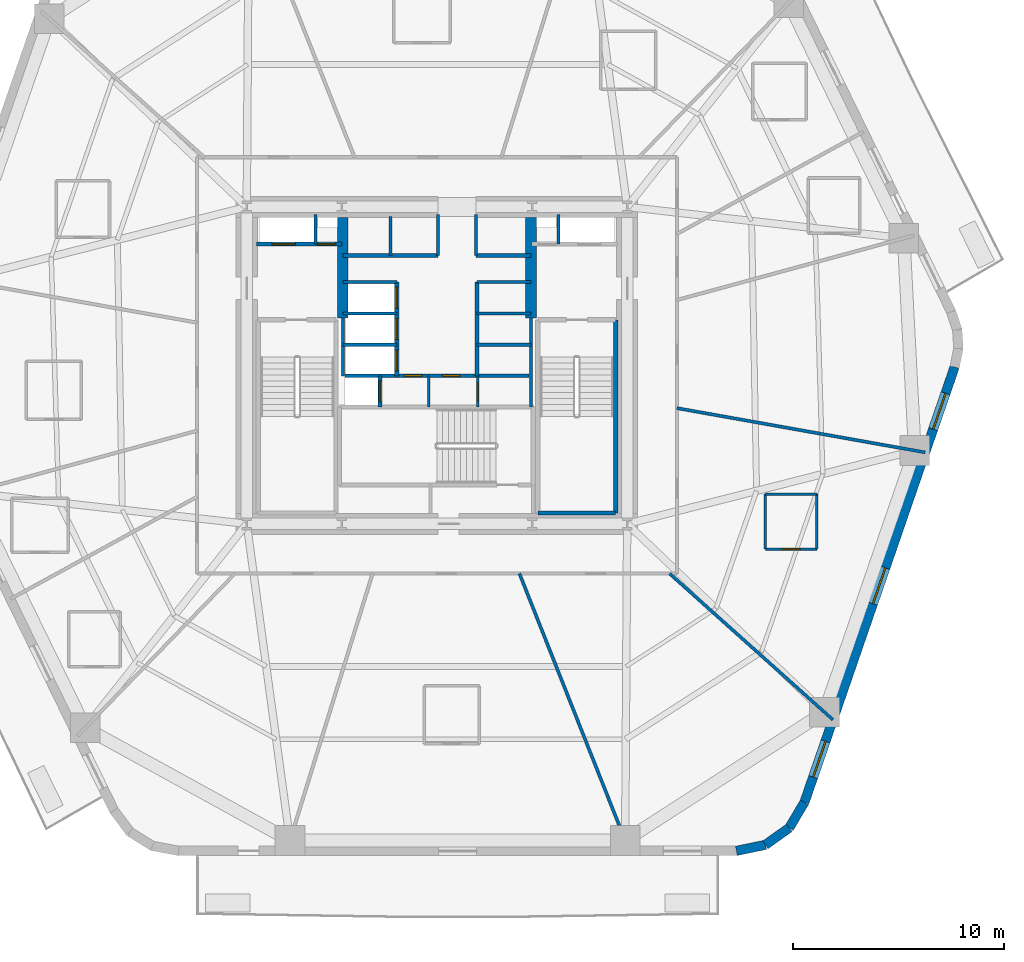
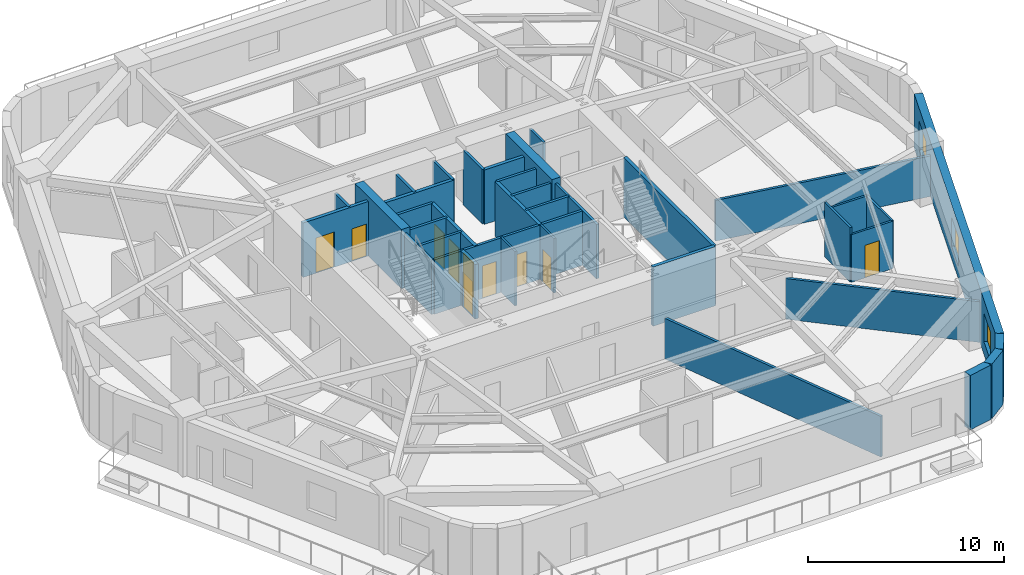
# One storey, part 4 of 9: 37 walls, 10 doors, 3 windows, 13 openings.
"""IFC4 building model written with IfcOpenShell, lengths in metres."""

from ifc_helpers import new_model, si_unit, direction, frame, frame_2d, origin, place, context, subcontext, project, spatial, rectangle, extrude, material, layer, layer_set, type_object, element, fill, save


model = new_model("IFC4")

# Units and contexts
model_context = context("Model", 3, precision=1e-05, world=origin(), true_north=direction((0.0, 1.0)))
body_context = subcontext(model_context, "Body", "Model", "MODEL_VIEW")
ifc_project = project(units=[si_unit("LENGTHUNIT", "METRE"), si_unit("AREAUNIT", "SQUARE_METRE"), si_unit("VOLUMEUNIT", "CUBIC_METRE"), si_unit("PLANEANGLEUNIT", "RADIAN"), si_unit("MASSUNIT", "GRAM", prefix="KILO")], contexts=[model_context])

# Site, building, storey
site_placement = place(None, origin())
site = spatial("IfcSite", under=ifc_project, at=site_placement, CompositionType="ELEMENT")
building_placement = place(site_placement, origin())
building = spatial("IfcBuilding", under=site, at=building_placement, Name="Kilnhurst Terrace Hotel", CompositionType="ELEMENT")
storey_placement = place(building_placement, frame((0.0, 0.0, 60.10009765625)))
storey = spatial("IfcBuildingStorey", under=building, at=storey_placement, Name="L13", CompositionType="ELEMENT", Elevation=60.10009765625)

# Walls
ifc_material_1 = material(Name="Precast concrete C40/50", Category="concrete")
ifc_layer_1 = layer(ifc_material_1, 0.449951171875, Name="Precast concrete C40/50")
ifc_layer_set_1 = layer_set([ifc_layer_1], Name="Precast concrete C40/50")
wall_type_1 = type_object("IfcWallType", Name="WL-BRK-450", PredefinedType="SOLIDWALL", material=ifc_layer_set_1)
wall_1_placement = place(storey_placement, frame((14.168212890625, -22.97509765625, 0.0), z_axis=(0.0, 0.0, 1.0), x_axis=(0.978770371074, 0.204959900243, 0.0)))
element("IfcWall", 1, at=wall_1_placement, inside=storey, type_object=wall_type_1, Name="L13 Rounded Corner Brick Wall C2.1", PredefinedType="SOLIDWALL", context=body_context, shape_type="SweptSolid", body=[
    extrude(rectangle(XDim=1.405517578125, YDim=0.449951171875, at=frame_2d((0.70263671875, 0.0))), origin(), (0.0, 0.0, 1.0), 3.39990234375),
])
wall_2_placement = place(storey_placement, frame((15.5439453125, -22.68701171875, 0.0), z_axis=(0.0, 0.0, 1.0), x_axis=(0.814210854316, 0.580569276412, 0.0)))
element("IfcWall", 2, at=wall_2_placement, inside=storey, type_object=wall_type_1, Name="L13 Rounded Corner Brick Wall C2.2", PredefinedType="SOLIDWALL", context=body_context, shape_type="SweptSolid", body=[
    extrude(rectangle(XDim=1.38134765625, YDim=0.449951171875, at=frame_2d((0.690673828125, 0.0))), origin(), (0.0, 0.0, 1.0), 3.39990234375),
])
wall_3_placement = place(storey_placement, frame((16.668701171875, -21.885009765625, 0.0), z_axis=(0.0, 0.0, 1.0), x_axis=(0.512936712947, 0.858426425799, 0.0)))
element("IfcWall", 3, at=wall_3_placement, inside=storey, type_object=wall_type_1, Name="L13 Rounded Corner Brick Wall C2.3", PredefinedType="SOLIDWALL", context=body_context, shape_type="SweptSolid", body=[
    extrude(rectangle(XDim=1.405517578125, YDim=0.449951171875, at=frame_2d((0.70263671875, 0.0))), origin(), (0.0, 0.0, 1.0), 3.39990234375),
])

# Wall, openings, windows
wall_4_placement = place(storey_placement, frame((17.3896484375, -20.678466796875, 0.0), z_axis=(0.0, 0.0, 1.0), x_axis=(0.326068018294, 0.945346310854, 0.0)))
wall_4 = element("IfcWall", 4, at=wall_4_placement, inside=storey, type_object=wall_type_1, Name="L13 Exterior Brick Facade Wall F2", PredefinedType="SOLIDWALL", context=body_context, shape_type="SweptSolid", body=[
    extrude(rectangle(XDim=21.79296875, YDim=0.449951171875, at=frame_2d((10.896484375, 0.0))), origin(), (0.0, 0.0, 1.0), 3.39990234375),
])
opening_1_placement = place(wall_4_placement, frame((1.260009765625, 0.0, 0.800048828125)))
opening_1 = element("IfcOpeningElement", 5, at=opening_1_placement, cuts=wall_4, Name="Opening W-01", PredefinedType="OPENING", context=body_context, shape_type="SweptSolid", body=[
    extrude(rectangle(XDim=1.800048828125, YDim=1.800048828125, at=frame_2d((0.89990234375, 0.89990234375))), frame((0.0, 0.23486328125, 0.0), z_axis=(0.0, -1.0, 0.0), x_axis=(1.0, 0.0, 0.0)), (0.0, 0.0, 1.0), 0.469970703125),
])
opening_2_placement = place(wall_4_placement, frame((9.943115234375, 0.0, 0.800048828125)))
opening_2 = element("IfcOpeningElement", 6, at=opening_2_placement, cuts=wall_4, Name="Opening W-01", PredefinedType="OPENING", context=body_context, shape_type="SweptSolid", body=[
    extrude(rectangle(XDim=1.800048828125, YDim=1.800048828125, at=frame_2d((0.89990234375, 0.89990234375))), frame((0.0, 0.23486328125, 0.0), z_axis=(0.0, -1.0, 0.0), x_axis=(1.0, 0.0, 0.0)), (0.0, 0.0, 1.0), 0.469970703125),
])
opening_3_placement = place(wall_4_placement, frame((18.679931640625, 0.0, 0.800048828125)))
opening_3 = element("IfcOpeningElement", 7, at=opening_3_placement, cuts=wall_4, Name="Opening W-01", PredefinedType="OPENING", context=body_context, shape_type="SweptSolid", body=[
    extrude(rectangle(XDim=1.800048828125, YDim=1.800048828125, at=frame_2d((0.89990234375, 0.89990234375))), frame((0.0, 0.23486328125, 0.0), z_axis=(0.0, -1.0, 0.0), x_axis=(1.0, 0.0, 0.0)), (0.0, 0.0, 1.0), 0.469970703125),
])
ifc_material_2 = material(Name="Thermally Broken Bronze Aluminium Alloy 6063-T6 and Low-E Glass", Category="aluminium")
window_type = type_object("IfcWindowType", Name="WIN-1800X1800", PartitioningType="SINGLE_PANEL", PredefinedType="WINDOW", material=ifc_material_2)
window_1_placement = place(opening_1_placement, origin())
window_1 = element("IfcWindow", 8, at=window_1_placement, inside=storey, type_object=window_type, Name="L13 Deep-Set Masonry Window F2.1", OverallHeight=1.800048828125, OverallWidth=1.800048828125, PartitioningType="SINGLE_PANEL", PredefinedType="WINDOW", context=body_context, shape_type="SweptSolid", body=[
    extrude(rectangle(XDim=1.800048828125, YDim=1.800048828125, at=frame_2d((0.89990234375, 0.89990234375))), frame((0.0, 0.030029296875, 0.0), z_axis=(0.0, -1.0, 0.0), x_axis=(1.0, 0.0, 0.0)), (0.0, 0.0, 1.0), 0.06005859375),
])
fill(opening_1, window_1)
window_2_placement = place(opening_2_placement, origin())
window_2 = element("IfcWindow", 9, at=window_2_placement, inside=storey, type_object=window_type, Name="L13 Deep-Set Masonry Window F2.2", OverallHeight=1.800048828125, OverallWidth=1.800048828125, PartitioningType="SINGLE_PANEL", PredefinedType="WINDOW", context=body_context, shape_type="SweptSolid", body=[
    extrude(rectangle(XDim=1.800048828125, YDim=1.800048828125, at=frame_2d((0.89990234375, 0.89990234375))), frame((0.0, 0.030029296875, 0.0), z_axis=(0.0, -1.0, 0.0), x_axis=(1.0, 0.0, 0.0)), (0.0, 0.0, 1.0), 0.06005859375),
])
fill(opening_2, window_2)
window_3_placement = place(opening_3_placement, origin())
window_3 = element("IfcWindow", 10, at=window_3_placement, inside=storey, type_object=window_type, Name="L13 Deep-Set Masonry Window F2.3", OverallHeight=1.800048828125, OverallWidth=1.800048828125, PartitioningType="SINGLE_PANEL", PredefinedType="WINDOW", context=body_context, shape_type="SweptSolid", body=[
    extrude(rectangle(XDim=1.800048828125, YDim=1.800048828125, at=frame_2d((0.89990234375, 0.89990234375))), frame((0.0, 0.030029296875, 0.0), z_axis=(0.0, -1.0, 0.0), x_axis=(1.0, 0.0, 0.0)), (0.0, 0.0, 1.0), 0.06005859375),
])
fill(opening_3, window_3)

# Walls
ifc_material_3 = material(Name="Concrete C60/75", Category="concrete")
ifc_layer_2 = layer(ifc_material_3, 0.5, Name="Concrete C60/75")
ifc_layer_set_2 = layer_set([ifc_layer_2], Name="Concrete C60/75")
wall_type_2 = type_object("IfcWallType", Name="WL-CORE-WEB-500", PredefinedType="SHEAR", material=ifc_layer_set_2)
for number, where, z_axis, x_axis, name in (
    (11, (-4.449951171875, 2.25, 0.0), (0.0, 0.0, 1.0), (0.0, 1.0, 0.0), "L13 Core Internal West Shear Web"),
    (12, (4.449951171875, 2.25, 0.0), (0.0, 0.0, 1.0), (0.0, 1.0, 0.0), "L13 Core Internal East Shear Web"),
):
    element("IfcWall", number, at=place(storey_placement, frame(where, z_axis=z_axis, x_axis=x_axis)), inside=storey, type_object=wall_type_2, Name=name, PredefinedType="SHEAR", context=body_context, shape_type="SweptSolid", body=[
        extrude(rectangle(XDim=4.75, YDim=0.5, at=frame_2d((2.375, 0.0))), origin(), (0.0, 0.0, 1.0), 3.699951171875),
    ])
ifc_material_4 = material(Name="STC-58 Acoustic Twin-Frame Guestroom Demising Partition")
ifc_layer_3 = layer(ifc_material_4, 0.14990234375, Name="STC-58 Acoustic Twin-Frame Guestroom Demising Partition")
ifc_layer_set_3 = layer_set([ifc_layer_3], Name="STC-58 Acoustic Twin-Frame Guestroom Demising Partition")
wall_type_3 = type_object("IfcWallType", Name="WL-DEM-150", PredefinedType="PARTITIONING", material=ifc_layer_set_3)
wall_5_placement = place(storey_placement, frame((3.90185546875, -9.85009765625, 0.0), z_axis=(0.0, 0.0, 1.0), x_axis=(0.36828765711, -0.929711891728, 0.0)))
element("IfcWall", 13, at=wall_5_placement, inside=storey, type_object=wall_type_3, Name="L13 Interior Wall WL-L13-DEM-COL10-12-1", PredefinedType="PARTITIONING", context=body_context, shape_type="SweptSolid", body=[
    extrude(rectangle(XDim=14.1171875, YDim=0.14990234375, at=frame_2d((7.05859375, 0.0))), origin(), (0.0, 0.0, 1.0), 2.539794921875),
])
wall_6_placement = place(storey_placement, frame((11.006591796875, -9.85009765625, 0.0), z_axis=(0.0, 0.0, 1.0), x_axis=(0.745177305978, -0.666866390407, 0.0)))
element("IfcWall", 14, at=wall_6_placement, inside=storey, type_object=wall_type_3, Name="L13 Interior Wall WL-L13-DEM-COL11-13-1", PredefinedType="PARTITIONING", context=body_context, shape_type="SweptSolid", body=[
    extrude(rectangle(XDim=10.375244140625, YDim=0.14990234375, at=frame_2d((5.1875, 0.0))), origin(), (0.0, 0.0, 1.0), 2.539794921875),
])
wall_7_placement = place(storey_placement, frame((11.35009765625, -2.022705078125, 0.0), z_axis=(0.0, 0.0, 1.0), x_axis=(0.984493741877, -0.17541970301, 0.0)))
element("IfcWall", 15, at=wall_7_placement, inside=storey, type_object=wall_type_3, Name="L13 Interior Wall WL-L13-DEM-COL12-14-1", PredefinedType="PARTITIONING", context=body_context, shape_type="SweptSolid", body=[
    extrude(rectangle(XDim=11.93701171875, YDim=0.14990234375, at=frame_2d((5.968505859375, 0.0))), origin(), (0.0, 0.0, 1.0), 2.539794921875),
])
ifc_material_5 = material(Name="120 mm Moisture-Resistant Tile-Backed Bathroom Partition")
ifc_layer_4 = layer(ifc_material_5, 0.1201171875, Name="120 mm Moisture-Resistant Tile-Backed Bathroom Partition")
ifc_layer_set_4 = layer_set([ifc_layer_4], Name="120 mm Moisture-Resistant Tile-Backed Bathroom Partition")
wall_type_4 = type_object("IfcWallType", Name="WL-PART-120", PredefinedType="PARTITIONING", material=ifc_layer_set_4)
wall_8_placement = place(storey_placement, frame((-0.3798828125, -1.971923828125, 0.0), z_axis=(0.0, 0.0, 1.0), x_axis=(0.0, 1.0, 0.0)))
element("IfcWall", 16, at=wall_8_placement, inside=storey, type_object=wall_type_4, Name="L13 Interior Wall WL-L13-BOH-C1", PredefinedType="PARTITIONING", context=body_context, shape_type="SweptSolid", body=[
    extrude(rectangle(XDim=1.471923828125, YDim=0.1201171875, at=frame_2d((0.73583984375, 0.0))), origin(), (0.0, 0.0, 1.0), 3.39990234375),
])

# Wall, opening, door
wall_9_placement = place(storey_placement, frame((1.919921875, -1.971923828125, 0.0), z_axis=(0.0, 0.0, 1.0), x_axis=(0.0, 1.0, 0.0)))
wall_9 = element("IfcWall", 17, at=wall_9_placement, inside=storey, type_object=wall_type_4, Name="L13 Interior Wall WL-L13-BOH-C2", PredefinedType="PARTITIONING", context=body_context, shape_type="SweptSolid", body=[
    extrude(rectangle(XDim=1.471923828125, YDim=0.1201171875, at=frame_2d((0.73583984375, 0.0))), origin(), (0.0, 0.0, 1.0), 3.39990234375),
])
opening_4_placement = place(wall_9_placement, frame((0.300048828125, 0.0, 0.0)))
opening_4 = element("IfcOpeningElement", 18, at=opening_4_placement, cuts=wall_9, Name="Opening D-08A", PredefinedType="OPENING", context=body_context, shape_type="SweptSolid", body=[
    extrude(rectangle(XDim=0.85009765625, YDim=2.030029296875, at=frame_2d((0.425048828125, 1.01513671875))), frame((0.0, 0.070068359375, 0.0), z_axis=(0.0, -1.0, 0.0), x_axis=(1.0, 0.0, 0.0)), (0.0, 0.0, 1.0), 0.14013671875),
])
ifc_material_6 = material(Name="Moisture-Resistant Lacquered En-suite Bathroom Door")
door_type_1 = type_object("IfcDoorType", Name="DR-INT-850", OperationType="NOTDEFINED", PredefinedType="DOOR", material=ifc_material_6)
door_1_placement = place(opening_4_placement, origin())
door_1 = element("IfcDoor", 19, at=door_1_placement, inside=storey, type_object=door_type_1, Name="L13 Staff Restroom Door", OperationType="SINGLE_SWING_RIGHT", OverallHeight=2.030029296875, OverallWidth=0.85009765625, PredefinedType="DOOR", context=body_context, shape_type="SweptSolid", body=[
    extrude(rectangle(XDim=0.85009765625, YDim=2.030029296875, at=frame_2d((0.425048828125, 1.01513671875))), frame((0.0, 0.02490234375, 0.0), z_axis=(0.0, -1.0, 0.0), x_axis=(1.0, 0.0, 0.0)), (0.0, 0.0, 1.0), 0.050048828125),
])
fill(opening_4, door_1)

wall_10_placement = place(storey_placement, frame((15.535888671875, -8.697998046875, 0.0), z_axis=(0.0, 0.0, 1.0), x_axis=(1.0, 0.0, 0.0)))
wall_10 = element("IfcWall", 20, at=wall_10_placement, inside=storey, type_object=wall_type_4, Name="L13 Interior Wall WL-L13-BTH-13-1", PredefinedType="PARTITIONING", context=body_context, shape_type="SweptSolid", body=[
    extrude(rectangle(XDim=2.440185546875, YDim=0.1201171875, at=frame_2d((1.22021484375, 0.0))), origin(), (0.0, 0.0, 1.0), 2.972412109375),
])
opening_5_placement = place(wall_10_placement, frame((0.794921875, 0.0, 0.0)))
opening_5 = element("IfcOpeningElement", 21, at=opening_5_placement, cuts=wall_10, Name="Opening D-08A", PredefinedType="OPENING", context=body_context, shape_type="SweptSolid", body=[
    extrude(rectangle(XDim=0.85009765625, YDim=2.030029296875, at=frame_2d((0.425048828125, 1.01513671875))), frame((0.0, 0.070068359375, 0.0), z_axis=(0.0, -1.0, 0.0), x_axis=(1.0, 0.0, 0.0)), (0.0, 0.0, 1.0), 0.14013671875),
])
door_2_placement = place(opening_5_placement, origin())
door_2 = element("IfcDoor", 22, at=door_2_placement, inside=storey, type_object=door_type_1, Name="L13 En-suite Bathroom Door 13", OperationType="SINGLE_SWING_RIGHT", OverallHeight=2.030029296875, OverallWidth=0.85009765625, PredefinedType="DOOR", context=body_context, shape_type="SweptSolid", body=[
    extrude(rectangle(XDim=0.85009765625, YDim=2.030029296875, at=frame_2d((0.425048828125, 1.01513671875))), frame((0.0, 0.02490234375, 0.0), z_axis=(0.0, -1.0, 0.0), x_axis=(1.0, 0.0, 0.0)), (0.0, 0.0, 1.0), 0.050048828125),
])
fill(opening_5, door_2)

# Walls
wall_11_placement = place(storey_placement, frame((17.97607421875, -8.697998046875, 0.0), z_axis=(0.0, 0.0, 1.0), x_axis=(0.0, 1.0, 0.0)))
element("IfcWall", 23, at=wall_11_placement, inside=storey, type_object=wall_type_4, Name="L13 Interior Wall WL-L13-BTH-13-2", PredefinedType="PARTITIONING", context=body_context, shape_type="SweptSolid", body=[
    extrude(rectangle(XDim=2.610107421875, YDim=0.1201171875, at=frame_2d((1.30517578125, 0.0))), origin(), (0.0, 0.0, 1.0), 2.972412109375),
])
wall_12_placement = place(storey_placement, frame((17.97607421875, -6.087890625, 0.0), z_axis=(0.0, 0.0, 1.0), x_axis=(-1.0, 0.0, 0.0)))
element("IfcWall", 24, at=wall_12_placement, inside=storey, type_object=wall_type_4, Name="L13 Interior Wall WL-L13-BTH-13-3", PredefinedType="PARTITIONING", context=body_context, shape_type="SweptSolid", body=[
    extrude(rectangle(XDim=2.440185546875, YDim=0.1201171875, at=frame_2d((1.22021484375, 0.0))), origin(), (0.0, 0.0, 1.0), 2.972412109375),
])
wall_13_placement = place(storey_placement, frame((15.535888671875, -6.087890625, 0.0), z_axis=(0.0, 0.0, 1.0), x_axis=(0.0, -1.0, 0.0)))
element("IfcWall", 25, at=wall_13_placement, inside=storey, type_object=wall_type_4, Name="L13 Interior Wall WL-L13-BTH-13-4", PredefinedType="PARTITIONING", context=body_context, shape_type="SweptSolid", body=[
    extrude(rectangle(XDim=2.610107421875, YDim=0.1201171875, at=frame_2d((1.30517578125, 0.0))), origin(), (0.0, 0.0, 1.0), 3.39990234375),
])
ifc_material_7 = material(Name="Fire-Rated Gypsum Shaftliner Assembly")
ifc_layer_5 = layer(ifc_material_7, 0.14990234375, Name="Fire-Rated Gypsum Shaftliner Assembly")
ifc_layer_set_5 = layer_set([ifc_layer_5], Name="Fire-Rated Gypsum Shaftliner Assembly")
wall_type_5 = type_object("IfcWallType", Name="WL-SHAFT-150", PredefinedType="PARTITIONING", material=ifc_layer_set_5)
for number, where, z_axis, x_axis, name in (
    (26, (-5.75, 5.739990234375, 0.0), (0.0, 0.0, 1.0), (0.0, 1.0, 0.0), "L13 Interior Wall WL-L13-RIS1-DIV"),
    (27, (5.75, 5.739990234375, 0.0), (0.0, 0.0, 1.0), (0.0, 1.0, 0.0), "L13 Interior Wall WL-L13-RIS2-DIV"),
):
    element("IfcWall", number, at=place(storey_placement, frame(where, z_axis=z_axis, x_axis=x_axis)), inside=storey, type_object=wall_type_5, Name=name, PredefinedType="PARTITIONING", context=body_context, shape_type="SweptSolid", body=[
        extrude(rectangle(XDim=1.409912109375, YDim=0.14990234375, at=frame_2d((0.705078125, 0.0))), origin(), (0.0, 0.0, 1.0), 3.39990234375),
    ])
wall_14_placement = place(storey_placement, frame((-2.199951171875, 5.199951171875, 0.0), z_axis=(0.0, 0.0, 1.0), x_axis=(0.0, 1.0, 0.0)))
element("IfcWall", 28, at=wall_14_placement, inside=storey, type_object=wall_type_5, Name="L13 Interior Wall WL-L13-HR-DIV1", PredefinedType="PARTITIONING", context=body_context, shape_type="SweptSolid", body=[
    extrude(rectangle(XDim=1.85009765625, YDim=0.14990234375, at=frame_2d((0.925048828125, 0.0))), origin(), (0.0, 0.0, 1.0), 3.39990234375),
])
for number, where, z_axis, x_axis, name in (
    (29, (0.050048828125, 5.199951171875, 0.0), (0.0, 0.0, 1.0), (0.0, 1.0, 0.0), "L13 Interior Wall WL-L13-HR-PORTAL-W"),
    (30, (1.85009765625, 5.199951171875, 0.0), (0.0, 0.0, 1.0), (0.0, 1.0, 0.0), "L13 Interior Wall WL-L13-HR-PORTAL-E"),
):
    element("IfcWall", number, at=place(storey_placement, frame(where, z_axis=z_axis, x_axis=x_axis)), inside=storey, type_object=wall_type_5, Name=name, PredefinedType="PARTITIONING", context=body_context, shape_type="SweptSolid", body=[
        extrude(rectangle(XDim=1.949951171875, YDim=0.14990234375, at=frame_2d((0.97509765625, 0.0))), origin(), (0.0, 0.0, 1.0), 3.39990234375),
    ])
wall_15_placement = place(storey_placement, frame((-4.449951171875, -0.5, 0.0), z_axis=(0.0, 0.0, 1.0), x_axis=(0.0, 1.0, 0.0)))
element("IfcWall", 31, at=wall_15_placement, inside=storey, type_object=wall_type_5, Name="L13 Interior Wall WL-L13-XLOB-W", PredefinedType="PARTITIONING", context=body_context, shape_type="SweptSolid", body=[
    extrude(rectangle(XDim=2.75, YDim=0.14990234375, at=frame_2d((1.375, 0.0))), origin(), (0.0, 0.0, 1.0), 3.39990234375),
])
wall_16_placement = place(storey_placement, frame((4.449951171875, -1.971923828125, 0.0), z_axis=(0.0, 0.0, 1.0), x_axis=(0.0, 1.0, 0.0)))
element("IfcWall", 32, at=wall_16_placement, inside=storey, type_object=wall_type_5, Name="L13 Interior Wall WL-L13-XLOB-E", PredefinedType="PARTITIONING", context=body_context, shape_type="SweptSolid", body=[
    extrude(rectangle(XDim=4.221923828125, YDim=0.14990234375, at=frame_2d((2.11083984375, 0.0))), origin(), (0.0, 0.0, 1.0), 3.39990234375),
])
for number, where, z_axis, x_axis, name in (
    (33, (-4.449951171875, 3.93994140625, 0.0), (0.0, 0.0, 1.0), (1.0, 0.0, 0.0), "L13 Interior Wall WL-L13-LR-NORTH"),
    (34, (-4.449951171875, 0.97998046875, 0.0), (0.0, 0.0, 1.0), (1.0, 0.0, 0.0), "L13 Interior Wall WL-L13-LR-D1"),
    (35, (-4.449951171875, 2.4599609375, 0.0), (0.0, 0.0, 1.0), (1.0, 0.0, 0.0), "L13 Interior Wall WL-L13-LR-D2"),
    (36, (1.89990234375, 3.93994140625, 0.0), (0.0, 0.0, 1.0), (1.0, 0.0, 0.0), "L13 Interior Wall WL-L13-MR-NORTH"),
    (37, (1.89990234375, 0.97998046875, 0.0), (0.0, 0.0, 1.0), (1.0, 0.0, 0.0), "L13 Interior Wall WL-L13-MR-D1"),
    (38, (1.89990234375, 2.4599609375, 0.0), (0.0, 0.0, 1.0), (1.0, 0.0, 0.0), "L13 Interior Wall WL-L13-MR-D2"),
):
    element("IfcWall", number, at=place(storey_placement, frame(where, z_axis=z_axis, x_axis=x_axis)), inside=storey, type_object=wall_type_5, Name=name, PredefinedType="PARTITIONING", context=body_context, shape_type="SweptSolid", body=[
        extrude(rectangle(XDim=2.550048828125, YDim=0.14990234375, at=frame_2d((1.27490234375, 0.0))), origin(), (0.0, 0.0, 1.0), 3.39990234375),
    ])

# Wall, openings, doors
wall_17_placement = place(storey_placement, frame((-4.360107421875, -0.489990234375, 0.0), z_axis=(0.0, 0.0, 1.0), x_axis=(1.0, 0.0, 0.0)))
wall_17 = element("IfcWall", 39, at=wall_17_placement, inside=storey, type_object=wall_type_5, Name="L13 Interior Wall WL-L13-BOH-N", PredefinedType="PARTITIONING", context=body_context, shape_type="SweptSolid", body=[
    extrude(rectangle(XDim=8.72021484375, YDim=0.14990234375, at=frame_2d((4.360107421875, 0.0))), origin(), (0.0, 0.0, 1.0), 3.39990234375),
])
opening_6_placement = place(wall_17_placement, frame((2.81005859375, 0.0, 0.0)))
opening_6 = element("IfcOpeningElement", 40, at=opening_6_placement, cuts=wall_17, Name="Opening D-60D", PredefinedType="OPENING", context=body_context, shape_type="SweptSolid", body=[
    extrude(rectangle(XDim=0.85009765625, YDim=2.030029296875, at=frame_2d((0.425048828125, 1.01513671875))), frame((0.0, 0.0849609375, 0.0), z_axis=(0.0, -1.0, 0.0), x_axis=(1.0, 0.0, 0.0)), (0.0, 0.0, 1.0), 0.169921875),
])
opening_7_placement = place(wall_17_placement, frame((4.610107421875, 0.0, 0.0)))
opening_7 = element("IfcOpeningElement", 41, at=opening_7_placement, cuts=wall_17, Name="Opening D-60D", PredefinedType="OPENING", context=body_context, shape_type="SweptSolid", body=[
    extrude(rectangle(XDim=0.85009765625, YDim=2.030029296875, at=frame_2d((0.425048828125, 1.01513671875))), frame((0.0, 0.0849609375, 0.0), z_axis=(0.0, -1.0, 0.0), x_axis=(1.0, 0.0, 0.0)), (0.0, 0.0, 1.0), 0.169921875),
])
ifc_material_8 = material(Name="Painted Hollow Metal Steel ASTM A36 Riser Door", Category="steel")
door_type_2 = type_object("IfcDoorType", Name="DR-FD60-850", OperationType="NOTDEFINED", PredefinedType="DOOR", material=ifc_material_8)
door_3_placement = place(opening_6_placement, origin())
door_3 = element("IfcDoor", 42, at=door_3_placement, inside=storey, type_object=door_type_2, Name="L13 Housekeeping Station Door", OperationType="SINGLE_SWING_LEFT", OverallHeight=2.030029296875, OverallWidth=0.85009765625, PredefinedType="DOOR", context=body_context, shape_type="SweptSolid", body=[
    extrude(rectangle(XDim=0.85009765625, YDim=2.030029296875, at=frame_2d((0.425048828125, 1.01513671875))), frame((0.0, 0.02490234375, 0.0), z_axis=(0.0, -1.0, 0.0), x_axis=(1.0, 0.0, 0.0)), (0.0, 0.0, 1.0), 0.050048828125),
])
fill(opening_6, door_3)
door_4_placement = place(opening_7_placement, origin())
door_4 = element("IfcDoor", 43, at=door_4_placement, inside=storey, type_object=door_type_2, Name="L13 Beverage Pantry Door", OperationType="SINGLE_SWING_RIGHT", OverallHeight=2.030029296875, OverallWidth=0.85009765625, PredefinedType="DOOR", context=body_context, shape_type="SweptSolid", body=[
    extrude(rectangle(XDim=0.85009765625, YDim=2.030029296875, at=frame_2d((0.425048828125, 1.01513671875))), frame((0.0, 0.02490234375, 0.0), z_axis=(0.0, -1.0, 0.0), x_axis=(1.0, 0.0, 0.0)), (0.0, 0.0, 1.0), 0.050048828125),
])
fill(opening_7, door_4)

ifc_material_9 = material(Name="Autoclaved Aerated Concrete C30/37 and Gypsum Shaft Assembly", Category="concrete")
ifc_layer_6 = layer(ifc_material_9, 0.199951171875, Name="Autoclaved Aerated Concrete C30/37 and Gypsum Shaft Assembly")
ifc_layer_set_6 = layer_set([ifc_layer_6], Name="Autoclaved Aerated Concrete C30/37 and Gypsum Shaft Assembly")
wall_type_6 = type_object("IfcWallType", Name="WL-SHAFT-200", PredefinedType="PARTITIONING", material=ifc_layer_set_6)
wall_18_placement = place(storey_placement, frame((-8.550048828125, 5.739990234375, 0.0), z_axis=(0.0, 0.0, 1.0), x_axis=(1.0, 0.0, 0.0)))
wall_18 = element("IfcWall", 44, at=wall_18_placement, inside=storey, type_object=wall_type_6, Name="L13 Interior Wall WL-L13-FSAE1-S", PredefinedType="PARTITIONING", context=body_context, shape_type="SweptSolid", body=[
    extrude(rectangle(XDim=4.050048828125, YDim=0.199951171875, at=frame_2d((2.02490234375, 0.0))), origin(), (0.0, 0.0, 1.0), 3.39990234375),
])
opening_8_placement = place(wall_18_placement, frame((0.75, 0.0, 0.0)))
opening_8 = element("IfcOpeningElement", 45, at=opening_8_placement, cuts=wall_18, Name="Opening LD-F1", PredefinedType="OPENING", context=body_context, shape_type="SweptSolid", body=[
    extrude(rectangle(XDim=1.10009765625, YDim=2.199951171875, at=frame_2d((0.550048828125, 1.10009765625))), frame((0.0, 0.10986328125, 0.0), z_axis=(0.0, -1.0, 0.0), x_axis=(1.0, 0.0, 0.0)), (0.0, 0.0, 1.0), 0.219970703125),
])
opening_9_placement = place(wall_18_placement, frame((2.89990234375, 0.0, 0.0)))
opening_9 = element("IfcOpeningElement", 46, at=opening_9_placement, cuts=wall_18, Name="Opening D-60D", PredefinedType="OPENING", context=body_context, shape_type="SweptSolid", body=[
    extrude(rectangle(XDim=0.85009765625, YDim=2.030029296875, at=frame_2d((0.425048828125, 1.01513671875))), frame((0.0, 0.10986328125, 0.0), z_axis=(0.0, -1.0, 0.0), x_axis=(1.0, 0.0, 0.0)), (0.0, 0.0, 1.0), 0.219970703125),
])
door_5_placement = place(opening_9_placement, origin())
door_5 = element("IfcDoor", 47, at=door_5_placement, inside=storey, type_object=door_type_2, Name="L13 Electrical Riser Door", OperationType="SINGLE_SWING_LEFT", OverallHeight=2.030029296875, OverallWidth=0.85009765625, PredefinedType="DOOR", context=body_context, shape_type="SweptSolid", body=[
    extrude(rectangle(XDim=0.85009765625, YDim=2.030029296875, at=frame_2d((0.425048828125, 1.01513671875))), frame((0.0, 0.02490234375, 0.0), z_axis=(0.0, -1.0, 0.0), x_axis=(1.0, 0.0, 0.0)), (0.0, 0.0, 1.0), 0.050048828125),
])
fill(opening_9, door_5)
ifc_material_10 = material(Name="Bronze-Anodized Stainless Steel AISI 316L Sliding Door", Category="steel")
door_type_3 = type_object("IfcDoorType", Name="DR-LIFT-1100", OperationType="NOTDEFINED", PredefinedType="DOOR", material=ifc_material_10)
door_6_placement = place(opening_8_placement, origin())
door_6 = element("IfcDoor", 48, at=door_6_placement, inside=storey, type_object=door_type_3, Name="L13 FSAE-1 Landing Door", OperationType="SLIDING_TO_LEFT", OverallHeight=2.199951171875, OverallWidth=1.10009765625, PredefinedType="DOOR", context=body_context, shape_type="SweptSolid", body=[
    extrude(rectangle(XDim=1.10009765625, YDim=2.199951171875, at=frame_2d((0.550048828125, 1.10009765625))), frame((0.0, 0.02490234375, 0.0), z_axis=(0.0, -1.0, 0.0), x_axis=(1.0, 0.0, 0.0)), (0.0, 0.0, 1.0), 0.050048828125),
])
fill(opening_8, door_6)

# Wall, opening, door
wall_19_placement = place(storey_placement, frame((-2.699951171875, -1.971923828125, 0.0), z_axis=(0.0, 0.0, 1.0), x_axis=(0.0, 1.0, 0.0)))
wall_19 = element("IfcWall", 49, at=wall_19_placement, inside=storey, type_object=wall_type_6, Name="L13 Interior Wall WL-L13-SRV1-E", PredefinedType="PARTITIONING", context=body_context, shape_type="SweptSolid", body=[
    extrude(rectangle(XDim=1.471923828125, YDim=0.199951171875, at=frame_2d((0.73583984375, 0.0))), origin(), (0.0, 0.0, 1.0), 3.39990234375),
])
opening_10_placement = place(wall_19_placement, frame((0.239990234375, 0.0, 0.0)))
opening_10 = element("IfcOpeningElement", 50, at=opening_10_placement, cuts=wall_19, Name="Opening LD-SV", PredefinedType="OPENING", context=body_context, shape_type="SweptSolid", body=[
    extrude(rectangle(XDim=1.0, YDim=2.199951171875, at=frame_2d((0.5, 1.10009765625))), frame((0.0, 0.10986328125, 0.0), z_axis=(0.0, -1.0, 0.0), x_axis=(1.0, 0.0, 0.0)), (0.0, 0.0, 1.0), 0.219970703125),
])
door_type_4 = type_object("IfcDoorType", Name="DR-LIFT-1000", OperationType="NOTDEFINED", PredefinedType="DOOR", material=ifc_material_10)
door_7_placement = place(opening_10_placement, origin())
door_7 = element("IfcDoor", 51, at=door_7_placement, inside=storey, type_object=door_type_4, Name="L13 Service Lift SRV-1 Landing Door", OperationType="SLIDING_TO_LEFT", OverallHeight=2.199951171875, OverallWidth=1.0, PredefinedType="DOOR", context=body_context, shape_type="SweptSolid", body=[
    extrude(rectangle(XDim=1.0, YDim=2.199951171875, at=frame_2d((0.5, 1.10009765625))), frame((0.0, 0.02490234375, 0.0), z_axis=(0.0, -1.0, 0.0), x_axis=(1.0, 0.0, 0.0)), (0.0, 0.0, 1.0), 0.050048828125),
])
fill(opening_10, door_7)

# Walls
wall_20_placement = place(storey_placement, frame((-4.449951171875, 5.199951171875, 0.0), z_axis=(0.0, 0.0, 1.0), x_axis=(1.0, 0.0, 0.0)))
element("IfcWall", 52, at=wall_20_placement, inside=storey, type_object=wall_type_6, Name="L13 Interior Wall WL-L13-HR-SW", PredefinedType="PARTITIONING", context=body_context, shape_type="SweptSolid", body=[
    extrude(rectangle(XDim=4.5, YDim=0.199951171875, at=frame_2d((2.25, 0.0))), origin(), (0.0, 0.0, 1.0), 3.39990234375),
])
wall_21_placement = place(storey_placement, frame((1.85009765625, 5.199951171875, 0.0), z_axis=(0.0, 0.0, 1.0), x_axis=(1.0, 0.0, 0.0)))
element("IfcWall", 53, at=wall_21_placement, inside=storey, type_object=wall_type_6, Name="L13 Interior Wall WL-L13-HR-SE", PredefinedType="PARTITIONING", context=body_context, shape_type="SweptSolid", body=[
    extrude(rectangle(XDim=2.599853515625, YDim=0.199951171875, at=frame_2d((1.2998046875, 0.0))), origin(), (0.0, 0.0, 1.0), 3.39990234375),
])

# Wall, openings, doors
wall_22_placement = place(storey_placement, frame((-1.89990234375, -0.5, 0.0), z_axis=(0.0, 0.0, 1.0), x_axis=(0.0, 1.0, 0.0)))
wall_22 = element("IfcWall", 54, at=wall_22_placement, inside=storey, type_object=wall_type_6, Name="L13 Interior Wall WL-L13-LR-FRONT", PredefinedType="PARTITIONING", context=body_context, shape_type="SweptSolid", body=[
    extrude(rectangle(XDim=4.43994140625, YDim=0.199951171875, at=frame_2d((2.219970703125, 0.0))), origin(), (0.0, 0.0, 1.0), 3.39990234375),
])
opening_11_placement = place(wall_22_placement, frame((0.239990234375, 0.0, 0.0)))
opening_11 = element("IfcOpeningElement", 55, at=opening_11_placement, cuts=wall_22, Name="Opening LD-LR", PredefinedType="OPENING", context=body_context, shape_type="SweptSolid", body=[
    extrude(rectangle(XDim=1.0, YDim=2.199951171875, at=frame_2d((0.5, 1.10009765625))), frame((0.0, 0.10986328125, 0.0), z_axis=(0.0, -1.0, 0.0), x_axis=(1.0, 0.0, 0.0)), (0.0, 0.0, 1.0), 0.219970703125),
])
opening_12_placement = place(wall_22_placement, frame((1.719970703125, 0.0, 0.0)))
opening_12 = element("IfcOpeningElement", 56, at=opening_12_placement, cuts=wall_22, Name="Opening LD-LR", PredefinedType="OPENING", context=body_context, shape_type="SweptSolid", body=[
    extrude(rectangle(XDim=1.0, YDim=2.199951171875, at=frame_2d((0.5, 1.10009765625))), frame((0.0, 0.10986328125, 0.0), z_axis=(0.0, -1.0, 0.0), x_axis=(1.0, 0.0, 0.0)), (0.0, 0.0, 1.0), 0.219970703125),
])
opening_13_placement = place(wall_22_placement, frame((3.199951171875, 0.0, 0.0)))
opening_13 = element("IfcOpeningElement", 57, at=opening_13_placement, cuts=wall_22, Name="Opening LD-LR", PredefinedType="OPENING", context=body_context, shape_type="SweptSolid", body=[
    extrude(rectangle(XDim=1.0, YDim=2.199951171875, at=frame_2d((0.5, 1.10009765625))), frame((0.0, 0.10986328125, 0.0), z_axis=(0.0, -1.0, 0.0), x_axis=(1.0, 0.0, 0.0)), (0.0, 0.0, 1.0), 0.219970703125),
])
door_8_placement = place(opening_11_placement, origin())
door_8 = element("IfcDoor", 58, at=door_8_placement, inside=storey, type_object=door_type_4, Name="L13 Low Rise Lift LR-1 Landing Door", OperationType="SLIDING_TO_LEFT", OverallHeight=2.199951171875, OverallWidth=1.0, PredefinedType="DOOR", context=body_context, shape_type="SweptSolid", body=[
    extrude(rectangle(XDim=1.0, YDim=2.199951171875, at=frame_2d((0.5, 1.10009765625))), frame((0.0, 0.02490234375, 0.0), z_axis=(0.0, -1.0, 0.0), x_axis=(1.0, 0.0, 0.0)), (0.0, 0.0, 1.0), 0.050048828125),
])
fill(opening_11, door_8)
door_9_placement = place(opening_12_placement, origin())
door_9 = element("IfcDoor", 59, at=door_9_placement, inside=storey, type_object=door_type_4, Name="L13 Low Rise Lift LR-2 Landing Door", OperationType="SLIDING_TO_LEFT", OverallHeight=2.199951171875, OverallWidth=1.0, PredefinedType="DOOR", context=body_context, shape_type="SweptSolid", body=[
    extrude(rectangle(XDim=1.0, YDim=2.199951171875, at=frame_2d((0.5, 1.10009765625))), frame((0.0, 0.02490234375, 0.0), z_axis=(0.0, -1.0, 0.0), x_axis=(1.0, 0.0, 0.0)), (0.0, 0.0, 1.0), 0.050048828125),
])
fill(opening_12, door_9)
door_10_placement = place(opening_13_placement, origin())
door_10 = element("IfcDoor", 60, at=door_10_placement, inside=storey, type_object=door_type_4, Name="L13 Low Rise Lift LR-3 Landing Door", OperationType="SLIDING_TO_LEFT", OverallHeight=2.199951171875, OverallWidth=1.0, PredefinedType="DOOR", context=body_context, shape_type="SweptSolid", body=[
    extrude(rectangle(XDim=1.0, YDim=2.199951171875, at=frame_2d((0.5, 1.10009765625))), frame((0.0, 0.02490234375, 0.0), z_axis=(0.0, -1.0, 0.0), x_axis=(1.0, 0.0, 0.0)), (0.0, 0.0, 1.0), 0.050048828125),
])
fill(opening_13, door_10)

# Walls
wall_23_placement = place(storey_placement, frame((1.89990234375, -0.5, 0.0), z_axis=(0.0, 0.0, 1.0), x_axis=(0.0, 1.0, 0.0)))
element("IfcWall", 61, at=wall_23_placement, inside=storey, type_object=wall_type_6, Name="L13 Interior Wall WL-L13-MR-FRONT", PredefinedType="PARTITIONING", context=body_context, shape_type="SweptSolid", body=[
    extrude(rectangle(XDim=4.43994140625, YDim=0.199951171875, at=frame_2d((2.219970703125, 0.0))), origin(), (0.0, 0.0, 1.0), 3.39990234375),
])
ifc_material_11 = material(Name="Concrete C50/60", Category="concrete")
ifc_layer_7 = layer(ifc_material_11, 0.199951171875, Name="Concrete C50/60")
ifc_layer_set_7 = layer_set([ifc_layer_7], Name="Concrete C50/60")
wall_type_7 = type_object("IfcWallType", Name="WL-STAIR-RC-200", PredefinedType="SHEAR", material=ifc_layer_set_7)
wall_24_placement = place(storey_placement, frame((8.4580078125, -6.985107421875, 0.0), z_axis=(0.0, 0.0, 1.0), x_axis=(0.0, 1.0, 0.0)))
element("IfcWall", 62, at=wall_24_placement, inside=storey, type_object=wall_type_7, Name="L13 Structural Stair Shaft Wall WL-L13-ST2-E", PredefinedType="SHEAR", context=body_context, shape_type="SweptSolid", body=[
    extrude(rectangle(XDim=9.14306640625, YDim=0.199951171875, at=frame_2d((4.571533203125, 0.0))), origin(), (0.0, 0.0, 1.0), 3.699951171875),
])
wall_25_placement = place(storey_placement, frame((4.77197265625, -6.985107421875, 0.0), z_axis=(0.0, 0.0, 1.0), x_axis=(1.0, 0.0, 0.0)))
element("IfcWall", 63, at=wall_25_placement, inside=storey, type_object=wall_type_7, Name="L13 Structural Stair Shaft Wall WL-L13-ST2-S", PredefinedType="SHEAR", context=body_context, shape_type="SweptSolid", body=[
    extrude(rectangle(XDim=3.68603515625, YDim=0.199951171875, at=frame_2d((1.843017578125, 0.0))), origin(), (0.0, 0.0, 1.0), 3.699951171875),
])

save(model, "model.ifc")
